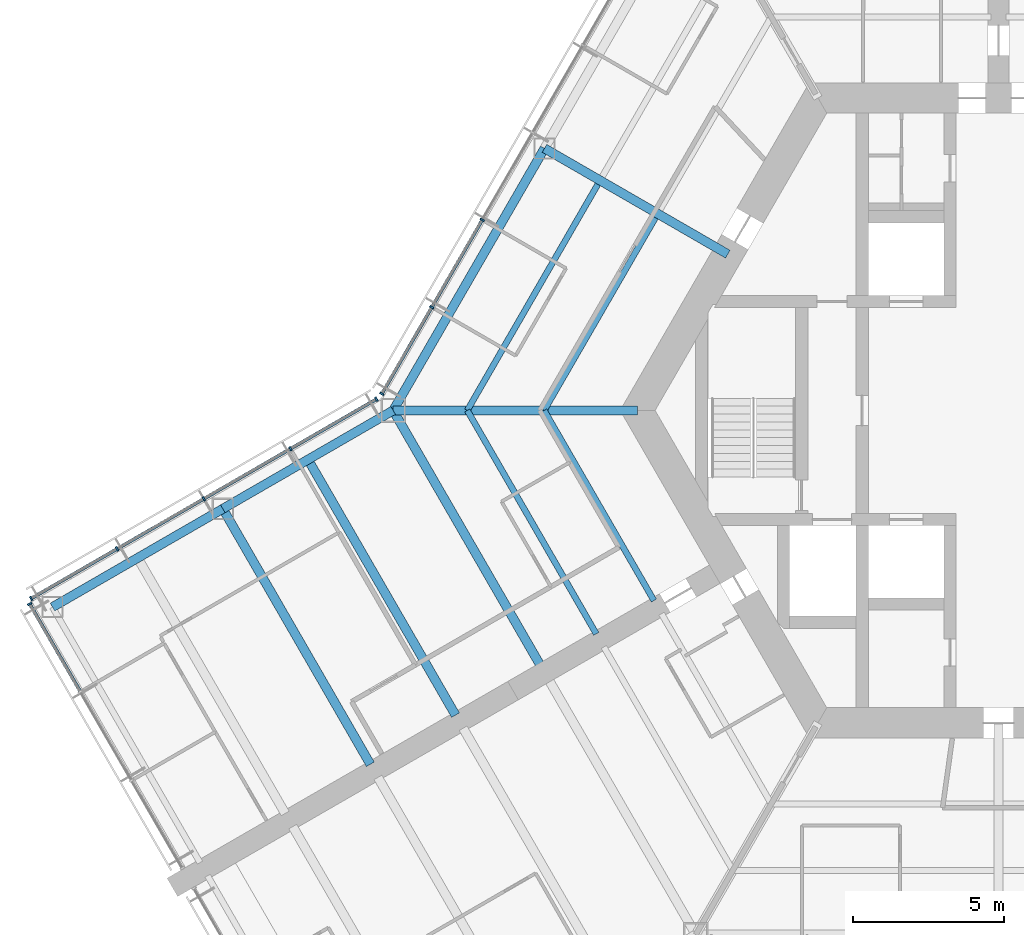
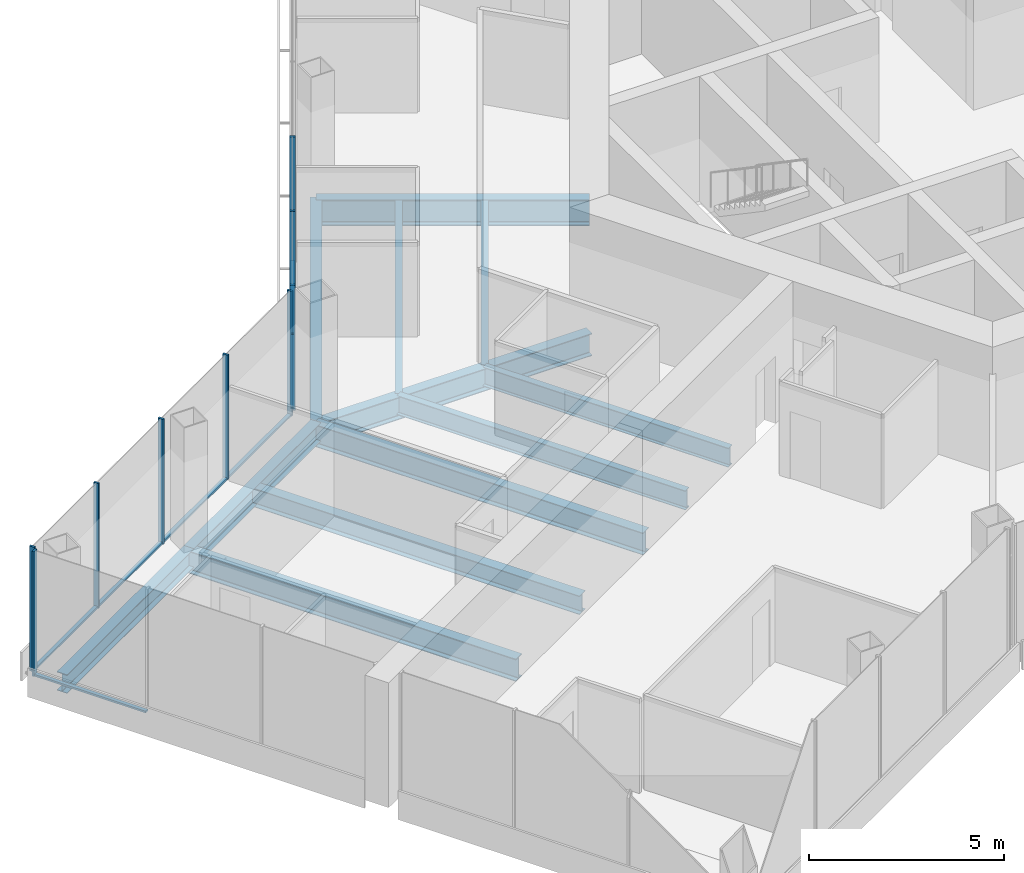
# One storey, part 4 of 19: 16 members, 12 beams, 3 elements without a shape of their own.
"""IFC4 building model written with IfcOpenShell, lengths in metres."""

from ifc_helpers import new_model, si_unit, direction, frame, origin, origin_2d, place, context, subcontext, project, spatial, rectangle, i_section, extrude, material, material_profile, profile_set, type_object, element, aggregate, save


model = new_model("IFC4")

# Units and contexts
model_context = context("Model", 3, precision=1e-05, world=origin(), true_north=direction((0.0, 1.0)))
body_context = subcontext(model_context, "Body", "Model", "MODEL_VIEW")
ifc_project = project(units=[si_unit("LENGTHUNIT", "METRE"), si_unit("AREAUNIT", "SQUARE_METRE"), si_unit("VOLUMEUNIT", "CUBIC_METRE"), si_unit("PLANEANGLEUNIT", "RADIAN"), si_unit("MASSUNIT", "GRAM", prefix="KILO")], contexts=[model_context])

# Site, building, storey
site_placement = place(None, origin())
site = spatial("IfcSite", under=ifc_project, at=site_placement, CompositionType="ELEMENT")
building_placement = place(site_placement, origin())
building = spatial("IfcBuilding", under=site, at=building_placement, Name="Kasaneha Research Tower", CompositionType="ELEMENT")
storey_placement = place(building_placement, frame((0.0, 0.0, 160.39990234375)))
storey = spatial("IfcBuildingStorey", under=building, at=storey_placement, Name="L40", CompositionType="ELEMENT", Elevation=160.39990234375)

# Beams
ifc_material_1 = material(Name="Steel SN490B", Category="steel")
ifc_material_profile_1 = material_profile(ifc_material_1, i_section(OverallWidth=0.199951171875, OverallDepth=0.60009765625, WebThickness=0.010986328125, FlangeThickness=0.01708984375, FilletRadius=0.012939453125, at=origin_2d()), Name="H-600x200x11x17")
ifc_profile_set_1 = profile_set([ifc_material_profile_1], Name="Steel SN490B")
beam_type_1 = type_object("IfcBeamType", Name="B1-3 secondary beam H-600x200x11x17", PredefinedType="JOIST", material=ifc_profile_set_1)
beam_1_placement = place(storey_placement, frame((-15.010986328125, 0.0, -0.449951171875), z_axis=(0.499994443168, 0.866028611999, 0.0), x_axis=(-0.866028611999, 0.499994443168, 0.0)))
element("IfcBeam", 1, at=beam_1_placement, inside=storey, type_object=beam_type_1, Name="Secondary beam RS150R1 L40", PredefinedType="JOIST", context=body_context, shape_type="SweptSolid", body=[
    extrude(i_section(OverallWidth=0.199951171875, OverallDepth=0.60009765625, WebThickness=0.010986328125, FlangeThickness=0.01708984375, FilletRadius=0.012939453125, at=origin_2d()), origin(), (0.0, 0.0, 1.0), 7.35546875),
])
beam_2_placement = place(storey_placement, frame((-17.551513671875, 0.0, -0.449951171875), z_axis=(0.5000050195, 0.866022505755, 0.0), x_axis=(-0.866022505755, 0.5000050195, 0.0)))
element("IfcBeam", 2, at=beam_2_placement, inside=storey, type_object=beam_type_1, Name="Secondary beam RS150R2 L40", PredefinedType="JOIST", context=body_context, shape_type="SweptSolid", body=[
    extrude(i_section(OverallWidth=0.199951171875, OverallDepth=0.60009765625, WebThickness=0.010986328125, FlangeThickness=0.01708984375, FilletRadius=0.012939453125, at=origin_2d()), origin(), (0.0, 0.0, 1.0), 8.6259765625),
])
beam_3_placement = place(storey_placement, frame((-15.010986328125, 0.0, -0.449951171875), z_axis=(0.499993340521, -0.866029248602, 0.0), x_axis=(0.866029248602, 0.499993340521, 0.0)))
element("IfcBeam", 3, at=beam_3_placement, inside=storey, type_object=beam_type_1, Name="Secondary beam RS210L1 L40", PredefinedType="JOIST", context=body_context, shape_type="SweptSolid", body=[
    extrude(i_section(OverallWidth=0.199951171875, OverallDepth=0.60009765625, WebThickness=0.010986328125, FlangeThickness=0.01708984375, FilletRadius=0.012939453125, at=origin_2d()), origin(), (0.0, 0.0, 1.0), 7.25537109375),
])
beam_4_placement = place(storey_placement, frame((-17.551513671875, 0.0, -0.449951171875), z_axis=(0.500004205306, -0.866022975836, 0.0), x_axis=(0.866022975836, 0.500004205306, 0.0)))
element("IfcBeam", 4, at=beam_4_placement, inside=storey, type_object=beam_type_1, Name="Secondary beam RS210L2 L40", PredefinedType="JOIST", context=body_context, shape_type="SweptSolid", body=[
    extrude(i_section(OverallWidth=0.199951171875, OverallDepth=0.60009765625, WebThickness=0.010986328125, FlangeThickness=0.01708984375, FilletRadius=0.012939453125, at=origin_2d()), origin(), (0.0, 0.0, 1.0), 8.52587890625),
])
ifc_material_2 = material(Name="Steel SN490B", Category="steel")
ifc_material_profile_2 = material_profile(ifc_material_2, i_section(OverallWidth=0.300048828125, OverallDepth=0.58203125, WebThickness=0.011962890625, FlangeThickness=0.01708984375, FilletRadius=0.012939453125, at=origin_2d()), Name="H-582x300x12x17")
ifc_profile_set_2 = profile_set([ifc_material_profile_2], Name="Steel SN490B")
beam_type_2 = type_object("IfcBeamType", Name="B2-3 secondary beam H-582x300x12x17", PredefinedType="JOIST", material=ifc_profile_set_2)
beam_5_placement = place(storey_placement, frame((-22.814697265625, -1.625, -0.44091796875), z_axis=(0.499995560238, -0.866027967067, 0.0), x_axis=(0.866027967067, 0.499995560238, 0.0)))
element("IfcBeam", 5, at=beam_5_placement, inside=storey, type_object=beam_type_2, Name="Secondary beam WBBP1 L40", PredefinedType="JOIST", context=body_context, shape_type="SweptSolid", body=[
    extrude(i_section(OverallWidth=0.300048828125, OverallDepth=0.58203125, WebThickness=0.011962890625, FlangeThickness=0.01708984375, FilletRadius=0.012939453125, at=origin_2d()), origin(), (0.0, 0.0, 1.0), 9.75),
])

# Curtain wall, members
ifc_material_3 = material(Name="Glass and aluminium", Category="aluminium")
curtain_wall_type = type_object("IfcCurtainWallType", Name="Mid-rise office curtain wall", PredefinedType="USERDEFINED", material=ifc_material_3)
curtain_wall_1_placement = place(storey_placement, origin())
curtain_wall_1 = element("IfcCurtainWall", 6, at=curtain_wall_1_placement, inside=storey, type_object=curtain_wall_type, Name="CW-O2 L40 run 08a", ObjectType="UNITISED CURTAIN WALL", PredefinedType="USERDEFINED")
ifc_material_4 = material(Name="Aluminium 6063-T6", Category="aluminium")
ifc_material_profile_3 = material_profile(ifc_material_4, rectangle(XDim=0.06005859375, YDim=0.14990234375, at=origin_2d()), Name="CW-O2 mullion 60x150")
ifc_profile_set_3 = profile_set([ifc_material_profile_3], Name="Aluminium 6063-T6")
member_type_1 = type_object("IfcMemberType", Name="CW-O2 mullion", PredefinedType="MULLION", material=ifc_profile_set_3)
member_1_placement = place(storey_placement, frame((-17.058349609375, 6.295166015625, 0.0), z_axis=(0.0, 0.0, 1.0), x_axis=(-0.499999979232, -0.866025415775, 0.0)))
member_1 = element("IfcMember", 7, at=member_1_placement, type_object=member_type_1, Name="CW-O2 mullion 5", PredefinedType="MULLION", context=body_context, shape_type="SweptSolid", body=[
    extrude(rectangle(XDim=0.06005859375, YDim=0.14990234375, at=origin_2d()), origin(), (0.0, 0.0, 1.0), 3.900146484375),
])
member_2_placement = place(storey_placement, frame((-18.723876953125, 3.410400390625, 0.0), z_axis=(0.0, 0.0, 1.0), x_axis=(-0.499999979232, -0.866025415775, 0.0)))
member_2 = element("IfcMember", 8, at=member_2_placement, type_object=member_type_1, Name="CW-O2 mullion 6", PredefinedType="MULLION", context=body_context, shape_type="SweptSolid", body=[
    extrude(rectangle(XDim=0.06005859375, YDim=0.14990234375, at=origin_2d()), origin(), (0.0, 0.0, 1.0), 3.900146484375),
])
member_3_placement = place(storey_placement, frame((-20.374267578125, 0.5517578125, 0.0), z_axis=(0.0, 0.0, 1.0), x_axis=(-0.499999979232, -0.866025415775, 0.0)))
member_3 = element("IfcMember", 9, at=member_3_placement, type_object=member_type_1, Name="CW-O2 mullion 7", PredefinedType="MULLION", context=body_context, shape_type="SweptSolid", body=[
    extrude(rectangle(XDim=0.06005859375, YDim=0.14990234375, at=origin_2d()), origin(), (0.0, 0.0, 1.0), 3.900146484375),
])

curtain_wall_2_placement = place(storey_placement, origin())
curtain_wall_2 = element("IfcCurtainWall", 10, at=curtain_wall_2_placement, inside=storey, type_object=curtain_wall_type, Name="CW-O2 L40 run 09a", ObjectType="UNITISED CURTAIN WALL", PredefinedType="USERDEFINED")
member_4_placement = place(storey_placement, frame((-20.5517578125, 0.374267578125, 0.0), z_axis=(0.0, 0.0, 1.0), x_axis=(-0.866025411464, -0.499999986699, 0.0)))
member_4 = element("IfcMember", 11, at=member_4_placement, type_object=member_type_1, Name="CW-O2 mullion 1", PredefinedType="MULLION", context=body_context, shape_type="SweptSolid", body=[
    extrude(rectangle(XDim=0.06005859375, YDim=0.14990234375, at=origin_2d()), origin(), (0.0, 0.0, 1.0), 3.900146484375),
])
member_5_placement = place(storey_placement, frame((-23.39208984375, -1.265625, 0.0), z_axis=(0.0, 0.0, 1.0), x_axis=(-0.866025411464, -0.499999986699, 0.0)))
member_5 = element("IfcMember", 12, at=member_5_placement, type_object=member_type_1, Name="CW-O2 mullion 2", PredefinedType="MULLION", context=body_context, shape_type="SweptSolid", body=[
    extrude(rectangle(XDim=0.06005859375, YDim=0.14990234375, at=origin_2d()), origin(), (0.0, 0.0, 1.0), 3.900146484375),
])
member_6_placement = place(storey_placement, frame((-26.258544921875, -2.920654296875, 0.0), z_axis=(0.0, 0.0, 1.0), x_axis=(-0.866025411464, -0.499999986699, 0.0)))
member_6 = element("IfcMember", 13, at=member_6_placement, type_object=member_type_1, Name="CW-O2 mullion 3", PredefinedType="MULLION", context=body_context, shape_type="SweptSolid", body=[
    extrude(rectangle(XDim=0.06005859375, YDim=0.14990234375, at=origin_2d()), origin(), (0.0, 0.0, 1.0), 3.900146484375),
])
member_7_placement = place(storey_placement, frame((-29.125, -4.575439453125, 0.0), z_axis=(0.0, 0.0, 1.0), x_axis=(-0.866025411464, -0.499999986699, 0.0)))
member_7 = element("IfcMember", 14, at=member_7_placement, type_object=member_type_1, Name="CW-O2 mullion 4", PredefinedType="MULLION", context=body_context, shape_type="SweptSolid", body=[
    extrude(rectangle(XDim=0.06005859375, YDim=0.14990234375, at=origin_2d()), origin(), (0.0, 0.0, 1.0), 3.900146484375),
])
member_8_placement = place(storey_placement, frame((-31.96533203125, -6.21533203125, 0.0), z_axis=(0.0, 0.0, 1.0), x_axis=(-0.866025411464, -0.499999986699, 0.0)))
member_8 = element("IfcMember", 15, at=member_8_placement, type_object=member_type_1, Name="CW-O2 mullion 5", PredefinedType="MULLION", context=body_context, shape_type="SweptSolid", body=[
    extrude(rectangle(XDim=0.06005859375, YDim=0.14990234375, at=origin_2d()), origin(), (0.0, 0.0, 1.0), 3.900146484375),
])

# Curtain wall, member
curtain_wall_3_placement = place(storey_placement, origin())
curtain_wall_3 = element("IfcCurtainWall", 16, at=curtain_wall_3_placement, inside=storey, type_object=curtain_wall_type, Name="CW-O2 L40 run 10a", ObjectType="UNITISED CURTAIN WALL", PredefinedType="USERDEFINED")
member_9_placement = place(storey_placement, frame((-32.012939453125, -6.39306640625, 0.0), z_axis=(0.0, 0.0, 1.0), x_axis=(0.500000011442, -0.866025397178, 0.0)))
member_9 = element("IfcMember", 17, at=member_9_placement, type_object=member_type_1, Name="CW-O2 mullion 1", PredefinedType="MULLION", context=body_context, shape_type="SweptSolid", body=[
    extrude(rectangle(XDim=0.06005859375, YDim=0.14990234375, at=origin_2d()), origin(), (0.0, 0.0, 1.0), 3.900146484375),
])

# Member
ifc_material_5 = material(Name="Aluminium 6063-T6", Category="aluminium")
ifc_material_profile_4 = material_profile(ifc_material_5, rectangle(XDim=0.110107421875, YDim=0.06005859375, at=origin_2d()), Name="CW-O2 transom 110x60")
ifc_profile_set_4 = profile_set([ifc_material_profile_4], Name="Aluminium 6063-T6")
member_type_2 = type_object("IfcMemberType", Name="CW-O2 transom", PredefinedType="USERDEFINED", material=ifc_profile_set_4)
member_10_placement = place(storey_placement, frame((-17.0732421875, 6.269287109375, 0.030029296875), z_axis=(-0.500000270186, -0.866025247793, 0.0), x_axis=(0.866025247793, -0.500000270186, 0.0)))
member_10 = element("IfcMember", 18, at=member_10_placement, type_object=member_type_2, Name="CW-O2 transom 5", ObjectType="TRANSOM", PredefinedType="USERDEFINED", context=body_context, shape_type="SweptSolid", body=[
    extrude(rectangle(XDim=0.110107421875, YDim=0.06005859375, at=origin_2d()), origin(), (0.0, 0.0, 1.0), 3.27099609375),
])

member_11_placement = place(storey_placement, frame((-18.73876953125, 3.384521484375, 0.030029296875), z_axis=(-0.499987643696, -0.866032537582, 0.0), x_axis=(0.866032537582, -0.499987643696, 0.0)))
member_11 = element("IfcMember", 19, at=member_11_placement, type_object=member_type_2, Name="CW-O2 transom 6", ObjectType="TRANSOM", PredefinedType="USERDEFINED", context=body_context, shape_type="SweptSolid", body=[
    extrude(rectangle(XDim=0.110107421875, YDim=0.06005859375, at=origin_2d()), origin(), (0.0, 0.0, 1.0), 3.24072265625),
])

aggregate(curtain_wall_1, [member_1, member_2, member_3, member_10, member_11])

member_12_placement = place(storey_placement, frame((-20.577880859375, 0.359130859375, 0.030029296875), z_axis=(-0.866022692473, -0.500004696101, 0.0), x_axis=(0.500004696101, -0.866022692473, 0.0)))
member_12 = element("IfcMember", 20, at=member_12_placement, type_object=member_type_2, Name="CW-O2 transom 1", ObjectType="TRANSOM", PredefinedType="USERDEFINED", context=body_context, shape_type="SweptSolid", body=[
    extrude(rectangle(XDim=0.110107421875, YDim=0.06005859375, at=origin_2d()), origin(), (0.0, 0.0, 1.0), 3.2197265625),
])

member_13_placement = place(storey_placement, frame((-23.418212890625, -1.28076171875, 0.030029296875), z_axis=(-0.86604797581, -0.499960902066, 0.0), x_axis=(0.499960902066, -0.86604797581, 0.0)))
member_13 = element("IfcMember", 21, at=member_13_placement, type_object=member_type_2, Name="CW-O2 transom 2", ObjectType="TRANSOM", PredefinedType="USERDEFINED", context=body_context, shape_type="SweptSolid", body=[
    extrude(rectangle(XDim=0.110107421875, YDim=0.06005859375, at=origin_2d()), origin(), (0.0, 0.0, 1.0), 3.249755859375),
])

member_14_placement = place(storey_placement, frame((-26.28466796875, -2.935546875, 0.030029296875), z_axis=(-0.86599666273, -0.500049777664, 0.0), x_axis=(0.500049777664, -0.86599666273, 0.0)))
member_14 = element("IfcMember", 22, at=member_14_placement, type_object=member_type_2, Name="CW-O2 transom 3", ObjectType="TRANSOM", PredefinedType="USERDEFINED", context=body_context, shape_type="SweptSolid", body=[
    extrude(rectangle(XDim=0.110107421875, YDim=0.06005859375, at=origin_2d()), origin(), (0.0, 0.0, 1.0), 3.249755859375),
])

member_15_placement = place(storey_placement, frame((-29.15087890625, -4.590576171875, 0.030029296875), z_axis=(-0.866041647767, -0.499971863542, 0.0), x_axis=(0.499971863542, -0.866041647767, 0.0)))
member_15 = element("IfcMember", 23, at=member_15_placement, type_object=member_type_2, Name="CW-O2 transom 4", ObjectType="TRANSOM", PredefinedType="USERDEFINED", context=body_context, shape_type="SweptSolid", body=[
    extrude(rectangle(XDim=0.110107421875, YDim=0.06005859375, at=origin_2d()), origin(), (0.0, 0.0, 1.0), 3.219970703125),
])

aggregate(curtain_wall_2, [member_4, member_5, member_6, member_7, member_8, member_12, member_13, member_14, member_15])

member_16_placement = place(storey_placement, frame((-31.998046875, -6.4189453125, 0.030029296875), z_axis=(0.500021914551, -0.866012751043, 0.0), x_axis=(0.866012751043, 0.500021914551, 0.0)))
member_16 = element("IfcMember", 24, at=member_16_placement, type_object=member_type_2, Name="CW-O2 transom 1", ObjectType="TRANSOM", PredefinedType="USERDEFINED", context=body_context, shape_type="SweptSolid", body=[
    extrude(rectangle(XDim=0.110107421875, YDim=0.06005859375, at=origin_2d()), origin(), (0.0, 0.0, 1.0), 3.293212890625),
])

aggregate(curtain_wall_3, [member_9, member_16])

# Beams
ifc_material_6 = material(Name="Steel SN490B", Category="steel")
ifc_material_profile_5 = material_profile(ifc_material_6, i_section(OverallWidth=0.300048828125, OverallDepth=0.699951171875, WebThickness=0.012939453125, FlangeThickness=0.02392578125, FilletRadius=0.01806640625, at=origin_2d()), Name="H-700x300x13x24")
ifc_profile_set_5 = profile_set([ifc_material_profile_5], Name="Steel SN490B")
beam_type_3 = type_object("IfcBeamType", Name="G1-3 radial girder H-700x300x13x24", PredefinedType="BEAM", material=ifc_profile_set_5)
beam_6_placement = place(storey_placement, frame((-11.92236328125, 0.0, -0.5), z_axis=(-1.0, 0.0, 0.0), x_axis=(0.0, -1.0, 0.0)))
element("IfcBeam", 25, at=beam_6_placement, inside=storey, type_object=beam_type_3, Name="Radial girder RV180 L40", PredefinedType="BEAM", context=body_context, shape_type="SweptSolid", body=[
    extrude(i_section(OverallWidth=0.300048828125, OverallDepth=0.699951171875, WebThickness=0.012939453125, FlangeThickness=0.02392578125, FilletRadius=0.01806640625, at=origin_2d()), origin(), (0.0, 0.0, 1.0), 8.07763671875),
])
ifc_material_7 = material(Name="Steel SN490B", Category="steel")
ifc_material_profile_6 = material_profile(ifc_material_7, i_section(OverallWidth=0.300048828125, OverallDepth=0.800048828125, WebThickness=0.013916015625, FlangeThickness=0.02587890625, FilletRadius=0.01806640625, at=origin_2d()), Name="H-800x300x14x26")
ifc_profile_set_6 = profile_set([ifc_material_profile_6], Name="Steel SN490B")
beam_type_4 = type_object("IfcBeamType", Name="G2-3 radial girder H-800x300x14x26", PredefinedType="BEAM", material=ifc_profile_set_6)
beam_7_placement = place(storey_placement, frame((-8.941650390625, 5.16259765625, -0.5498046875), z_axis=(-0.866039713508, 0.499975214012, 0.0), x_axis=(-0.499975214012, -0.866039713508, 0.0)))
element("IfcBeam", 26, at=beam_7_placement, inside=storey, type_object=beam_type_4, Name="Radial girder RM150 L40", PredefinedType="BEAM", context=body_context, shape_type="SweptSolid", body=[
    extrude(i_section(OverallWidth=0.300048828125, OverallDepth=0.800048828125, WebThickness=0.013916015625, FlangeThickness=0.02587890625, FilletRadius=0.01806640625, at=origin_2d()), origin(), (0.0, 0.0, 1.0), 6.995361328125),
])
ifc_material_8 = material(Name="Steel SN490B", Category="steel")
ifc_material_profile_7 = material_profile(ifc_material_8, i_section(OverallWidth=0.300048828125, OverallDepth=0.69189453125, WebThickness=0.012939453125, FlangeThickness=0.02001953125, FilletRadius=0.01806640625, at=origin_2d()), Name="H-692x300x13x20")
ifc_profile_set_7 = profile_set([ifc_material_profile_7], Name="Steel SN490B")
beam_type_5 = type_object("IfcBeamType", Name="G3-3 plate edge girder H-692x300x13x20", PredefinedType="BEAM", material=ifc_profile_set_7)
beam_8_placement = place(storey_placement, frame((-20.0, 0.0, -0.495849609375), z_axis=(0.499995560238, -0.866027967067, 0.0), x_axis=(0.866027967067, 0.499995560238, 0.0)))
element("IfcBeam", 27, at=beam_8_placement, inside=storey, type_object=beam_type_5, Name="Plate edge girder PEBP L40", PredefinedType="BEAM", context=body_context, shape_type="SweptSolid", body=[
    extrude(i_section(OverallWidth=0.300048828125, OverallDepth=0.69189453125, WebThickness=0.012939453125, FlangeThickness=0.02001953125, FilletRadius=0.01806640625, at=origin_2d()), origin(), (0.0, 0.0, 1.0), 9.75),
])
ifc_material_9 = material(Name="Steel SN490B", Category="steel")
ifc_material_profile_8 = material_profile(ifc_material_9, i_section(OverallWidth=0.300048828125, OverallDepth=0.699951171875, WebThickness=0.012939453125, FlangeThickness=0.02392578125, FilletRadius=0.01806640625, at=origin_2d()), Name="H-700x300x13x24")
ifc_profile_set_8 = profile_set([ifc_material_profile_8], Name="Steel SN490B")
beam_type_6 = type_object("IfcBeamType", Name="G4-3 wing girder H-700x300x13x24", PredefinedType="BEAM", material=ifc_profile_set_8)
beam_9_placement = place(storey_placement, frame((-25.629150390625, -3.25, -0.5), z_axis=(0.499995560238, -0.866027967067, 0.0), x_axis=(0.866027967067, 0.499995560238, 0.0)))
element("IfcBeam", 28, at=beam_9_placement, inside=storey, type_object=beam_type_6, Name="Wing girder WGBP L40", PredefinedType="BEAM", context=body_context, shape_type="SweptSolid", body=[
    extrude(i_section(OverallWidth=0.300048828125, OverallDepth=0.699951171875, WebThickness=0.012939453125, FlangeThickness=0.02392578125, FilletRadius=0.01806640625, at=origin_2d()), origin(), (0.0, 0.0, 1.0), 9.75),
])
ifc_material_10 = material(Name="Steel SN490B", Category="steel")
ifc_material_profile_9 = material_profile(ifc_material_10, i_section(OverallWidth=0.300048828125, OverallDepth=0.69189453125, WebThickness=0.012939453125, FlangeThickness=0.02001953125, FilletRadius=0.01806640625, at=origin_2d()), Name="H-692x300x13x20")
ifc_profile_set_9 = profile_set([ifc_material_profile_9], Name="Steel SN490B")
beam_type_7 = type_object("IfcBeamType", Name="SB1-3 spandrel beam H-692x300x13x20", PredefinedType="SPANDREL", material=ifc_profile_set_9)
beam_10_placement = place(storey_placement, frame((-20.0, 0.0, -0.495849609375), z_axis=(0.500004234368, 0.866022959057, 0.0), x_axis=(-0.866022959057, 0.500004234368, 0.0)))
element("IfcBeam", 29, at=beam_10_placement, inside=storey, type_object=beam_type_7, Name="Spandrel beam SR150R L40", PredefinedType="SPANDREL", context=body_context, shape_type="SweptSolid", body=[
    extrude(i_section(OverallWidth=0.300048828125, OverallDepth=0.69189453125, WebThickness=0.012939453125, FlangeThickness=0.02001953125, FilletRadius=0.01806640625, at=origin_2d()), origin(), (0.0, 0.0, 1.0), 10.0),
])
ifc_material_11 = material(Name="Steel SN490B", Category="steel")
ifc_material_profile_10 = material_profile(ifc_material_11, i_section(OverallWidth=0.300048828125, OverallDepth=0.58203125, WebThickness=0.011962890625, FlangeThickness=0.01708984375, FilletRadius=0.012939453125, at=origin_2d()), Name="H-582x300x12x17")
ifc_profile_set_10 = profile_set([ifc_material_profile_10], Name="Steel SN490B")
beam_type_8 = type_object("IfcBeamType", Name="SB2-3 spandrel beam H-582x300x12x17", PredefinedType="SPANDREL", material=ifc_profile_set_10)
for number, where, z_axis, x_axis, name in (
    (30, (-20.0, 0.0, -0.44091796875), (-0.866024837091, -0.50000098154, 0.0), (0.50000098154, -0.866024837091, 0.0), "Spandrel beam WSBP1 L40"),
    (31, (-25.629150390625, -3.25, -0.44091796875), (-0.866024837091, -0.50000098154, 0.0), (0.50000098154, -0.866024837091, 0.0), "Spandrel beam WSBP2 L40"),
):
    element("IfcBeam", number, at=place(storey_placement, frame(where, z_axis=z_axis, x_axis=x_axis)), inside=storey, type_object=beam_type_8, Name=name, PredefinedType="SPANDREL", context=body_context, shape_type="SweptSolid", body=[
        extrude(i_section(OverallWidth=0.300048828125, OverallDepth=0.58203125, WebThickness=0.011962890625, FlangeThickness=0.01708984375, FilletRadius=0.012939453125, at=origin_2d()), origin(), (0.0, 0.0, 1.0), 6.5),
    ])

save(model, "model.ifc")
